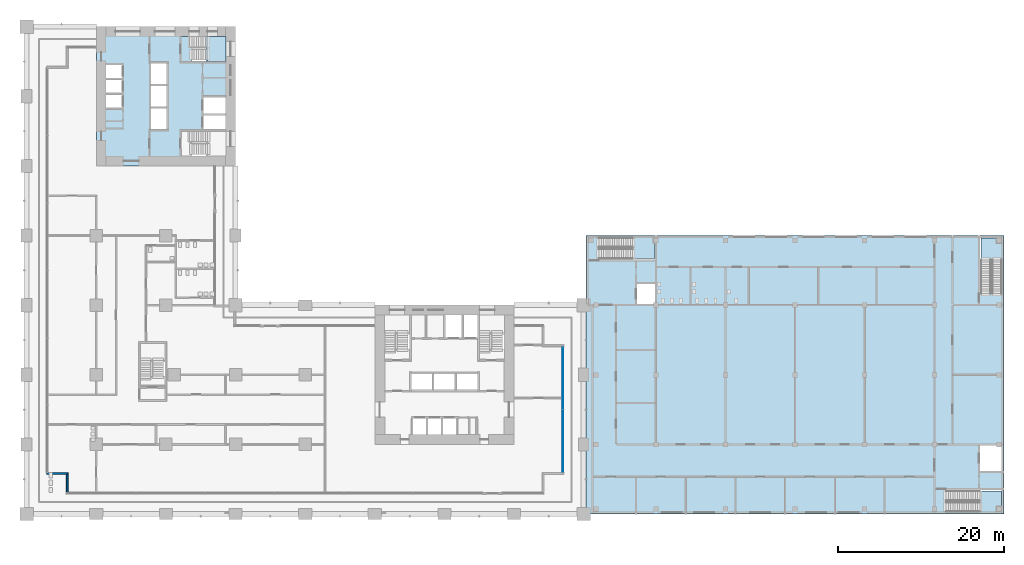
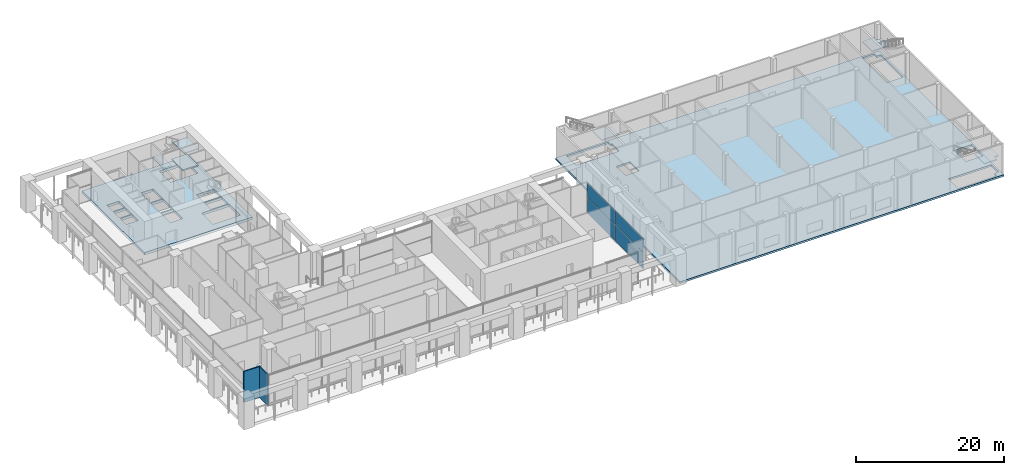
# One storey, part 14 of 33: 8 slabs, 4 plates, 2 walls, 5 elements without a shape of their own.
"""IFC4 building model written with IfcOpenShell, lengths in metres."""

from ifc_helpers import new_model, si_unit, direction, frame, frame_2d, origin, origin_2d, place, context, subcontext, project, spatial, polyline, rectangle, outline, extrude, material, layer, layer_set, type_object, element, aggregate, save


model = new_model("IFC4")

# Units and contexts
model_context = context("Model", 3, precision=1e-05, world=origin(), true_north=direction((0.0, 1.0)))
body_context = subcontext(model_context, "Body", "Model", "MODEL_VIEW")
ifc_project = project(units=[si_unit("LENGTHUNIT", "METRE"), si_unit("AREAUNIT", "SQUARE_METRE"), si_unit("VOLUMEUNIT", "CUBIC_METRE"), si_unit("PLANEANGLEUNIT", "RADIAN"), si_unit("MASSUNIT", "GRAM", prefix="KILO")], contexts=[model_context])

# Site, building, storey
site_placement = place(None, origin())
site = spatial("IfcSite", under=ifc_project, at=site_placement, CompositionType="ELEMENT")
building_placement = place(site_placement, origin())
building = spatial("IfcBuilding", under=site, at=building_placement, Name="Vermilion Gate Residences", CompositionType="ELEMENT")
storey_placement = place(building_placement, frame((0.0, 0.0, 14.39990234375)))
storey = spatial("IfcBuildingStorey", under=building, at=storey_placement, Name="L02", CompositionType="ELEMENT", Elevation=14.39990234375)

# Curtain wall, plates
ifc_material_1 = material(Name="Aluminium and glass", Category="aluminium")
curtain_wall_type = type_object("IfcCurtainWallType", Name="AMENITY GLAZING CURTAIN WALL", PredefinedType="NOTDEFINED", material=ifc_material_1)
curtain_wall_placement = place(storey_placement, origin())
curtain_wall = element("IfcCurtainWall", 1, at=curtain_wall_placement, inside=storey, type_object=curtain_wall_type, Name="Amenity Glazing 90", PredefinedType="NOTDEFINED")
ifc_material_2 = material(Name="Low-iron glass", Category="glass")
ifc_layer_1 = layer(ifc_material_2, 0.028076171875)
ifc_layer_set_1 = layer_set([ifc_layer_1], Name="AMENITY GLAZING GLASS PANEL 28")
plate_type = type_object("IfcPlateType", Name="AMENITY GLAZING GLASS PANEL 28", PredefinedType="CURTAIN_PANEL", material=ifc_layer_set_1)
plate_1_placement = place(storey_placement, frame((64.699951171875, 8.81494140625, 0.06005859375), z_axis=(0.0, 0.0, 1.0), x_axis=(0.0, 1.0, 0.0)))
plate_1 = element("IfcPlate", 2, at=plate_1_placement, type_object=plate_type, Name="ECW2 panel 1.1", PredefinedType="CURTAIN_PANEL", context=body_context, shape_type="SweptSolid", body=[
    extrude(rectangle(XDim=7.510009765625, YDim=0.028076171875, at=origin_2d()), origin(), (0.0, 0.0, 1.0), 2.610107421875),
])
plate_2_placement = place(storey_placement, frame((64.699951171875, 8.81494140625, 2.72998046875), z_axis=(0.0, 0.0, 1.0), x_axis=(0.0, 1.0, 0.0)))
plate_2 = element("IfcPlate", 3, at=plate_2_placement, type_object=plate_type, Name="ECW2 panel 1.2", PredefinedType="CURTAIN_PANEL", context=body_context, shape_type="SweptSolid", body=[
    extrude(rectangle(XDim=7.510009765625, YDim=0.028076171875, at=origin_2d()), origin(), (0.0, 0.0, 1.0), 2.31005859375),
])
plate_3_placement = place(storey_placement, frame((64.699951171875, 16.385009765625, 0.06005859375), z_axis=(0.0, 0.0, 1.0), x_axis=(0.0, 1.0, 0.0)))
plate_3 = element("IfcPlate", 4, at=plate_3_placement, type_object=plate_type, Name="ECW2 panel 2.1", PredefinedType="CURTAIN_PANEL", context=body_context, shape_type="SweptSolid", body=[
    extrude(rectangle(XDim=7.510009765625, YDim=0.028076171875, at=origin_2d()), origin(), (0.0, 0.0, 1.0), 2.610107421875),
])
plate_4_placement = place(storey_placement, frame((64.699951171875, 16.385009765625, 2.72998046875), z_axis=(0.0, 0.0, 1.0), x_axis=(0.0, 1.0, 0.0)))
plate_4 = element("IfcPlate", 5, at=plate_4_placement, type_object=plate_type, Name="ECW2 panel 2.2", PredefinedType="CURTAIN_PANEL", context=body_context, shape_type="SweptSolid", body=[
    extrude(rectangle(XDim=7.510009765625, YDim=0.028076171875, at=origin_2d()), origin(), (0.0, 0.0, 1.0), 2.31005859375),
])
aggregate(curtain_wall, [plate_1, plate_2, plate_3, plate_4])

# Slabs
ifc_material_3 = material(Name="Concrete C35", Category="concrete")
ifc_layer_2 = layer(ifc_material_3, 0.300048828125)
ifc_layer_set_2 = layer_set([ifc_layer_2], Name="FLOOR SLAB 300 C35 (MARKET HALL)")
slab_type_1 = type_object("IfcSlabType", Name="FLOOR SLAB 300 C35 (MARKET HALL)", PredefinedType="FLOOR", material=ifc_layer_set_2)
slab_1_placement = place(storey_placement, frame((0.0, 0.0, -0.2998046875)))
element("IfcSlab", 6, at=slab_1_placement, inside=storey, type_object=slab_type_1, Name="Floor slab L02", PredefinedType="FLOOR", context=body_context, shape_type="SweptSolid", body=[
    extrude(outline(polyline([(67.5, 0.0), (117.89990234375, 0.0), (117.89990234375, 33.60009765625), (67.5, 33.60009765625), (67.5, 0.0)]), holes=[polyline([(110.925048828125, 2.875), (117.60009765625, 2.875), (117.60009765625, 0.949951171875), (116.949951171875, 0.949951171875), (116.949951171875, 0.300048828125), (110.925048828125, 0.300048828125), (110.925048828125, 2.875)]), polyline([(115.02490234375, 5.22509765625), (115.02490234375, 8.27490234375), (117.64990234375, 8.27490234375), (117.64990234375, 5.22509765625), (115.02490234375, 5.22509765625)]), polyline([(73.625, 25.324951171875), (73.625, 27.77490234375), (75.77490234375, 27.77490234375), (75.77490234375, 25.324951171875), (73.625, 25.324951171875)]), polyline([(115.02490234375, 33.300048828125), (116.949951171875, 33.300048828125), (116.949951171875, 32.64990234375), (117.60009765625, 32.64990234375), (117.60009765625, 26.625), (115.02490234375, 26.625), (115.02490234375, 33.300048828125)]), polyline([(69.050048828125, 33.300048828125), (75.550048828125, 33.300048828125), (75.550048828125, 32.64990234375), (75.77490234375, 32.64990234375), (75.77490234375, 30.72509765625), (69.050048828125, 30.72509765625), (69.050048828125, 33.300048828125)])]), origin(), (0.0, 0.0, 1.0), 0.2998046875),
])
ifc_material_4 = material(Name="Concrete C50", Category="concrete")
ifc_layer_3 = layer(ifc_material_4, 0.419921875)
ifc_layer_set_3 = layer_set([ifc_layer_3], Name="RC CORE FLOOR SLAB 420 C50")
slab_type_2 = type_object("IfcSlabType", Name="RC CORE FLOOR SLAB 420 C50", PredefinedType="FLOOR", material=ifc_layer_set_3)
slab_2_placement = place(storey_placement, frame((0.0, 0.0, -0.419921875)))
element("IfcSlab", 7, at=slab_2_placement, inside=storey, type_object=slab_type_2, Name="Core floor slab B02", PredefinedType="FLOOR", context=body_context, shape_type="SweptSolid", body=[
    extrude(outline(polyline([(8.39990234375, 42.0), (25.199951171875, 42.0), (25.199951171875, 58.800048828125), (8.39990234375, 58.800048828125), (8.39990234375, 42.0)]), holes=[polyline([(19.75, 46.199951171875), (24.0, 46.199951171875), (24.0, 43.199951171875), (19.75, 43.199951171875), (19.75, 46.199951171875)]), polyline([(21.300048828125, 48.10009765625), (24.0, 48.10009765625), (24.0, 46.39990234375), (21.300048828125, 46.39990234375), (21.300048828125, 48.10009765625)]), polyline([(15.0, 48.933349609375), (16.89990234375, 48.933349609375), (16.89990234375, 46.39990234375), (15.0, 46.39990234375), (15.0, 48.933349609375)]), polyline([(24.0, 50.300048828125), (24.0, 48.300048828125), (21.300048828125, 48.300048828125), (21.300048828125, 50.300048828125), (24.0, 50.300048828125)]), polyline([(11.5, 50.60009765625), (11.5, 49.0), (9.60009765625, 49.0), (9.60009765625, 50.60009765625), (11.5, 50.60009765625)]), polyline([(15.0, 51.666748046875), (16.89990234375, 51.666748046875), (16.89990234375, 49.13330078125), (15.0, 49.13330078125), (15.0, 51.666748046875)]), polyline([(9.60009765625, 52.39990234375), (11.5, 52.39990234375), (11.5, 50.800048828125), (9.60009765625, 50.800048828125), (9.60009765625, 52.39990234375)]), polyline([(15.0, 54.39990234375), (16.89990234375, 54.39990234375), (16.89990234375, 51.86669921875), (15.0, 51.86669921875), (15.0, 54.39990234375)]), polyline([(11.5, 54.199951171875), (11.5, 52.60009765625), (9.60009765625, 52.60009765625), (9.60009765625, 54.199951171875), (11.5, 54.199951171875)]), polyline([(24.0, 57.60009765625), (24.0, 54.60009765625), (19.75, 54.60009765625), (19.75, 57.60009765625), (24.0, 57.60009765625)])]), origin(), (0.0, 0.0, 1.0), 0.419921875),
])

# Stair, slab
ifc_material_5 = material(Name="Concrete C35", Category="concrete")
stair_type_1 = type_object("IfcStairType", Name="RC STAIR 1200 (MARKET HALL)", PredefinedType="HALF_TURN_STAIR", material=ifc_material_5)
stair_1_placement = place(storey_placement, origin())
stair_1 = element("IfcStair", 8, at=stair_1_placement, inside=storey, type_object=stair_type_1, Name="Stair STH1-02", PredefinedType="HALF_TURN_STAIR")
ifc_material_6 = material(Name="Concrete C35", Category="concrete")
ifc_layer_4 = layer(ifc_material_6, 0.199951171875)
ifc_layer_set_4 = layer_set([ifc_layer_4], Name="STAIR LANDING 200 C35 (MARKET HALL)")
slab_type_3 = type_object("IfcSlabType", Name="STAIR LANDING 200 C35 (MARKET HALL)", PredefinedType="LANDING", material=ifc_layer_set_4)
slab_3_placement = place(storey_placement, frame((0.0, 0.0, 2.5)))
slab_3 = element("IfcSlab", 9, at=slab_3_placement, type_object=slab_type_3, Name="STH1-02 landing 1", PredefinedType="LANDING", context=body_context, shape_type="SweptSolid", body=[
    extrude(outline(polyline([(75.550048828125, 33.35009765625), (73.10009765625, 33.35009765625), (73.10009765625, 30.800048828125), (75.784912109375, 30.800048828125), (75.784912109375, 32.64990234375), (75.550048828125, 32.64990234375), (75.550048828125, 33.35009765625)])), origin(), (0.0, 0.0, 1.0), 0.2001953125),
])
aggregate(stair_1, [slab_3])

stair_2_placement = place(storey_placement, origin())
stair_2 = element("IfcStair", 10, at=stair_2_placement, inside=storey, type_object=stair_type_1, Name="Stair STH2-02", PredefinedType="HALF_TURN_STAIR")
slab_4_placement = place(storey_placement, frame((0.0, 0.0, 2.5)))
slab_4 = element("IfcSlab", 11, at=slab_4_placement, type_object=slab_type_3, Name="STH2-02 landing 1", PredefinedType="LANDING", context=body_context, shape_type="SweptSolid", body=[
    extrude(outline(polyline([(114.97509765625, 0.25), (116.949951171875, 0.25), (116.949951171875, 0.949951171875), (117.610107421875, 0.949951171875), (117.610107421875, 2.800048828125), (114.97509765625, 2.800048828125), (114.97509765625, 0.25)])), origin(), (0.0, 0.0, 1.0), 0.2001953125),
])
aggregate(stair_2, [slab_4])

stair_3_placement = place(storey_placement, origin())
stair_3 = element("IfcStair", 12, at=stair_3_placement, inside=storey, type_object=stair_type_1, Name="Stair STH3-02", PredefinedType="HALF_TURN_STAIR")
slab_5_placement = place(storey_placement, frame((0.0, 0.0, 2.5)))
slab_5 = element("IfcSlab", 13, at=slab_5_placement, type_object=slab_type_3, Name="STH3-02 landing 1", PredefinedType="LANDING", context=body_context, shape_type="SweptSolid", body=[
    extrude(outline(polyline([(116.949951171875, 33.31005859375), (115.10009765625, 33.31005859375), (115.10009765625, 30.675048828125), (117.64990234375, 30.675048828125), (117.64990234375, 32.64990234375), (116.949951171875, 32.64990234375), (116.949951171875, 33.31005859375)])), origin(), (0.0, 0.0, 1.0), 0.2001953125),
])
aggregate(stair_3, [slab_5])

# Stair, slabs
ifc_material_7 = material(Name="Concrete C50", Category="concrete")
stair_type_2 = type_object("IfcStairType", Name="SPECIAL ESCAPE STAIR 1300", PredefinedType="HALF_TURN_STAIR", material=ifc_material_7)
stair_4_placement = place(storey_placement, origin())
stair_4 = element("IfcStair", 14, at=stair_4_placement, inside=storey, type_object=stair_type_2, Name="Special escape stair STB1-02", PredefinedType="HALF_TURN_STAIR")
ifc_material_8 = material(Name="Concrete C50", Category="concrete")
ifc_layer_5 = layer(ifc_material_8, 0.199951171875)
ifc_layer_set_5 = layer_set([ifc_layer_5], Name="STAIR LANDING 200 C50")
slab_type_4 = type_object("IfcSlabType", Name="STAIR LANDING 200 C50", PredefinedType="LANDING", material=ifc_layer_set_5)
slab_6_placement = place(storey_placement, frame((0.0, 0.0, 1.150146484375)))
slab_6 = element("IfcSlab", 15, at=slab_6_placement, type_object=slab_type_4, Name="STB1-02 landing 1", PredefinedType="LANDING", context=body_context, shape_type="SweptSolid", body=[
    extrude(outline(polyline([(24.02001953125, 54.580078125), (24.02001953125, 57.6201171875), (21.639892578125, 57.6201171875), (21.639892578125, 54.580078125), (24.02001953125, 54.580078125)])), origin(), (0.0, 0.0, 1.0), 0.199951171875),
])
slab_7_placement = place(storey_placement, frame((0.0, 0.0, 2.5)))
slab_7 = element("IfcSlab", 16, at=slab_7_placement, type_object=slab_type_4, Name="STB1-02 landing 2", PredefinedType="LANDING", context=body_context, shape_type="SweptSolid", body=[
    extrude(outline(polyline([(19.929931640625, 54.580078125), (19.929931640625, 57.6201171875), (18.6298828125, 57.6201171875), (18.6298828125, 54.580078125), (19.929931640625, 54.580078125)])), origin(), (0.0, 0.0, 1.0), 0.2001953125),
])
slab_8_placement = place(storey_placement, frame((0.0, 0.0, 3.85009765625)))
slab_8 = element("IfcSlab", 17, at=slab_8_placement, type_object=slab_type_4, Name="STB1-02 landing 3", PredefinedType="LANDING", context=body_context, shape_type="SweptSolid", body=[
    extrude(outline(polyline([(24.02001953125, 54.580078125), (24.02001953125, 57.6201171875), (21.820068359375, 57.6201171875), (21.820068359375, 54.580078125), (24.02001953125, 54.580078125)])), origin(), (0.0, 0.0, 1.0), 0.199951171875),
])
aggregate(stair_4, [slab_6, slab_7, slab_8])

# Walls
ifc_material_9 = material(Name="Insulated steel stud wall with terracotta rainscreen", Category="masonry")
ifc_layer_6 = layer(ifc_material_9, 0.199951171875)
ifc_layer_set_6 = layer_set([ifc_layer_6], Name="EXTERNAL WALL 200 TERRACOTTA RAINSCREEN")
wall_type = type_object("IfcWallType", Name="EXTERNAL WALL 200 TERRACOTTA RAINSCREEN", PredefinedType="SOLIDWALL", material=ifc_layer_set_6)
wall_1_placement = place(storey_placement, frame((2.39990234375, 4.89990234375, 0.0), z_axis=(0.0, 0.0, 1.0), x_axis=(1.0, 0.0, 0.0)))
element("IfcWall", 18, at=wall_1_placement, inside=storey, type_object=wall_type, Name="External wall", PredefinedType="SOLIDWALL", context=body_context, shape_type="SweptSolid", body=[
    extrude(rectangle(XDim=2.60009765625, YDim=0.199951171875, at=frame_2d((1.300048828125, 0.0))), origin(), (0.0, 0.0, 1.0), 5.10009765625),
])
wall_2_placement = place(storey_placement, frame((4.89990234375, 4.800048828125, 0.0), z_axis=(0.0, 0.0, 1.0), x_axis=(0.0, -1.0, 0.0)))
element("IfcWall", 19, at=wall_2_placement, inside=storey, type_object=wall_type, Name="External wall", PredefinedType="SOLIDWALL", context=body_context, shape_type="SweptSolid", body=[
    extrude(rectangle(XDim=2.199951171875, YDim=0.199951171875, at=frame_2d((1.10009765625, 0.0))), origin(), (0.0, 0.0, 1.0), 5.10009765625),
])

save(model, "model.ifc")
